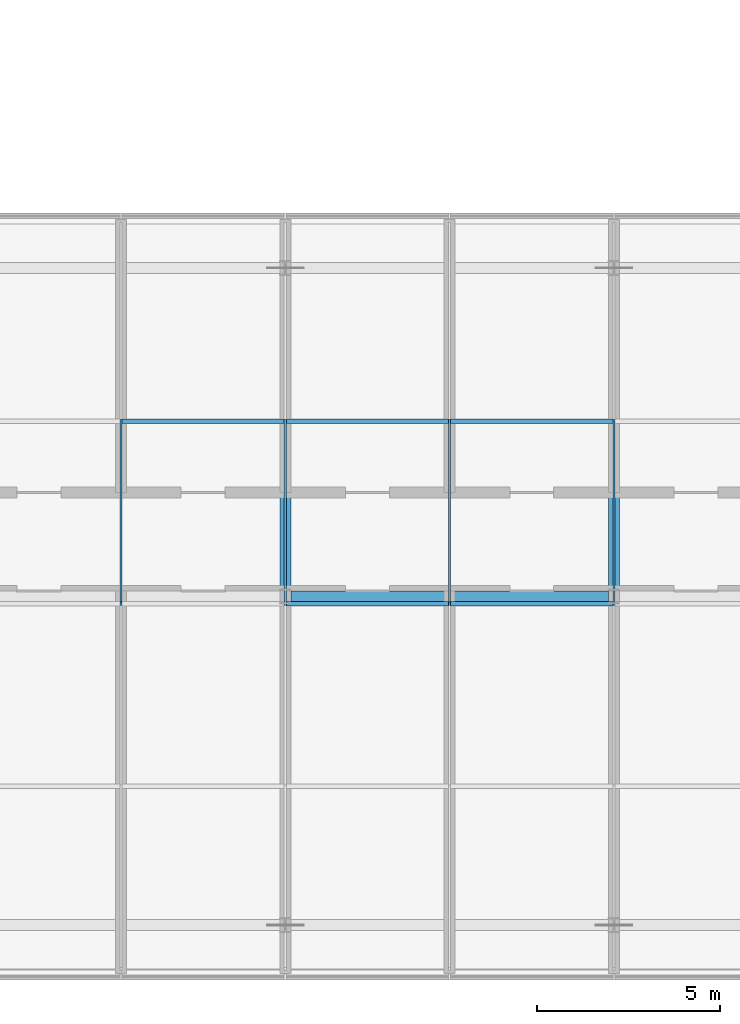
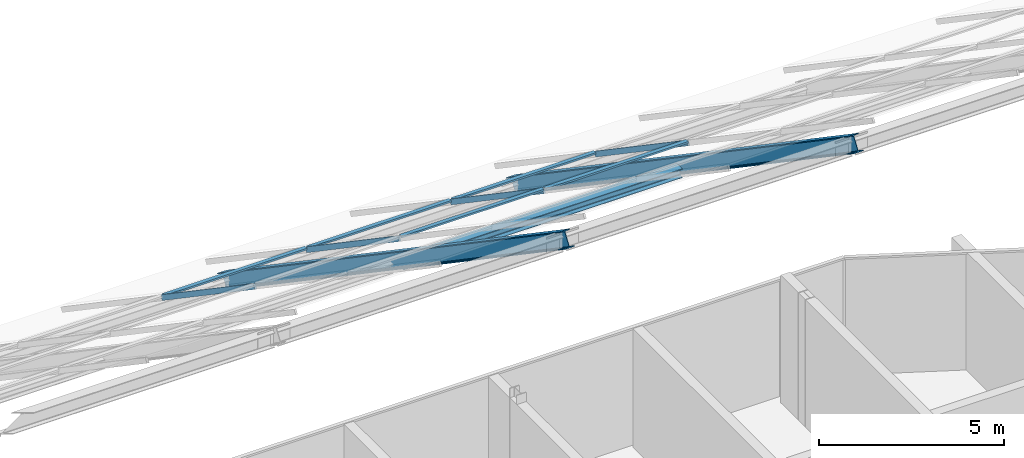
# One storey, part 11 of 25: 12 members, 2 elements without a shape of their own.
"""IFC4 building model written with IfcOpenShell, lengths in metres."""

from ifc_helpers import new_model, si_unit, direction, frame, origin, origin_2d, place, context, subcontext, project, spatial, rectangle, i_section, extrude, material, material_profile, profile_set, type_object, element, aggregate, save


model = new_model("IFC4")

# Units and contexts
model_context = context("Model", 3, precision=1e-05, world=origin(), true_north=direction((0.0, 1.0)))
body_context = subcontext(model_context, "Body", "Model", "MODEL_VIEW")
ifc_project = project(units=[si_unit("LENGTHUNIT", "METRE"), si_unit("AREAUNIT", "SQUARE_METRE"), si_unit("VOLUMEUNIT", "CUBIC_METRE"), si_unit("PLANEANGLEUNIT", "RADIAN"), si_unit("MASSUNIT", "GRAM", prefix="KILO")], contexts=[model_context])

# Site, building, storey
site_placement = place(None, origin())
site = spatial("IfcSite", under=ifc_project, at=site_placement, CompositionType="ELEMENT")
building_placement = place(site_placement, origin())
building = spatial("IfcBuilding", under=site, at=building_placement, Name="Ogive Portal Towers", CompositionType="ELEMENT")
storey_placement = place(building_placement, frame((0.0, 0.0, 272.89990234375)))
storey = spatial("IfcBuildingStorey", under=building, at=storey_placement, Name="L66", CompositionType="ELEMENT", Elevation=272.89990234375)

# Members
ifc_material_1 = material(Name="Steel S355", Category="steel")
ifc_material_profile_1 = material_profile(ifc_material_1, i_section(OverallWidth=0.300048828125, OverallDepth=0.300048828125, WebThickness=0.010986328125, FlangeThickness=0.01904296875, FilletRadius=0.027099609375, at=origin_2d()), Name="HEB 300")
ifc_profile_set_1 = profile_set([ifc_material_profile_1], Name="Steel S355")
member_type_1 = type_object("IfcMemberType", Name="CROWN PURLIN HEB 300", PredefinedType="PURLIN", material=ifc_profile_set_1)
member_1_placement = place(storey_placement, frame((67.64990234375, 30.5, 16.9501953125), z_axis=(1.0, 0.0, 0.0), x_axis=(0.0, 1.0, 0.0)))
element("IfcMember", 1, at=member_1_placement, inside=storey, type_object=member_type_1, Name="Crown purlin", PredefinedType="PURLIN", context=body_context, shape_type="SweptSolid", body=[
    extrude(i_section(OverallWidth=0.300048828125, OverallDepth=0.300048828125, WebThickness=0.010986328125, FlangeThickness=0.01904296875, FilletRadius=0.027099609375, at=origin_2d()), origin(), (0.0, 0.0, 1.0), 8.7001953125),
])
ifc_material_profile_2 = material_profile(ifc_material_1, i_section(OverallWidth=0.300048828125, OverallDepth=0.5, WebThickness=0.014404296875, FlangeThickness=0.028076171875, FilletRadius=0.027099609375, at=origin_2d()), Name="HEB 500")
ifc_profile_set_2 = profile_set([ifc_material_profile_2], Name="Steel S355")
member_type_2 = type_object("IfcMemberType", Name="CROWN RAFTER HEB 500", PredefinedType="RAFTER", material=ifc_profile_set_2)
for number, where, z_axis, x_axis, name in (
    (2, (67.5, 21.25, 23.397705078125), (0.0, 0.826929952607, -0.562304947054), (-1.0, 0.0, 0.0), "Crown rafter"),
    (3, (76.5, 21.25, 23.397705078125), (0.0, 0.826929952607, -0.562304947054), (-1.0, 0.0, 0.0), "Crown rafter"),
):
    element("IfcMember", number, at=place(storey_placement, frame(where, z_axis=z_axis, x_axis=x_axis)), inside=storey, type_object=member_type_2, Name=name, PredefinedType="RAFTER", context=body_context, shape_type="SweptSolid", body=[
        extrude(i_section(OverallWidth=0.300048828125, OverallDepth=0.5, WebThickness=0.014404296875, FlangeThickness=0.028076171875, FilletRadius=0.027099609375, at=origin_2d()), origin(), (0.0, 0.0, 1.0), 22.371826171875),
    ])

# Curtain wall, members
ifc_material_2 = material(Name="Glass, clear low-iron insulated glazing", Category="glass")
curtain_wall_type = type_object("IfcCurtainWallType", Name="CW CROWN GLAZING", PredefinedType="NOTDEFINED", material=ifc_material_2)
curtain_wall_1_placement = place(storey_placement, origin())
curtain_wall_1 = element("IfcCurtainWall", 4, at=curtain_wall_1_placement, inside=storey, type_object=curtain_wall_type, Name="Crown roof glazing 3", PredefinedType="NOTDEFINED")
ifc_material_3 = material(Name="Aluminium 6063 anodised", Category="aluminium")
ifc_material_profile_3 = material_profile(ifc_material_3, rectangle(XDim=0.06005859375, YDim=0.159912109375, at=origin_2d()), Name="AL 60x160 rafter")
ifc_profile_set_3 = profile_set([ifc_material_profile_3], Name="Aluminium 6063 anodised")
member_type_3 = type_object("IfcMemberType", Name="CW ROOF RAFTER 60x160", PredefinedType="MULLION", material=ifc_profile_set_3)
member_2_placement = place(storey_placement, frame((63.0, 30.300048828125, 17.931640625), z_axis=(0.0, 0.82693401206, -0.562298977146), x_axis=(-1.0, 0.0, 0.0)))
member_2 = element("IfcMember", 5, at=member_2_placement, type_object=member_type_3, Name="roof rafter", PredefinedType="MULLION", context=body_context, shape_type="SweptSolid", body=[
    extrude(rectangle(XDim=0.06005859375, YDim=0.159912109375, at=origin_2d()), origin(), (0.0, 0.0, 1.0), 6.04638671875),
])
member_3_placement = place(storey_placement, frame((67.5, 30.300048828125, 17.931640625), z_axis=(0.0, 0.82693401206, -0.562298977146), x_axis=(-1.0, 0.0, 0.0)))
member_3 = element("IfcMember", 6, at=member_3_placement, type_object=member_type_3, Name="roof rafter", PredefinedType="MULLION", context=body_context, shape_type="SweptSolid", body=[
    extrude(rectangle(XDim=0.06005859375, YDim=0.159912109375, at=origin_2d()), origin(), (0.0, 0.0, 1.0), 6.04638671875),
])

curtain_wall_2_placement = place(storey_placement, origin())
curtain_wall_2 = element("IfcCurtainWall", 7, at=curtain_wall_2_placement, inside=storey, type_object=curtain_wall_type, Name="Crown roof glazing 4", PredefinedType="NOTDEFINED")
member_4_placement = place(storey_placement, frame((72.0, 30.300048828125, 17.931640625), z_axis=(0.0, 0.82693401206, -0.562298977146), x_axis=(-1.0, 0.0, 0.0)))
member_4 = element("IfcMember", 8, at=member_4_placement, type_object=member_type_3, Name="roof rafter", PredefinedType="MULLION", context=body_context, shape_type="SweptSolid", body=[
    extrude(rectangle(XDim=0.06005859375, YDim=0.159912109375, at=origin_2d()), origin(), (0.0, 0.0, 1.0), 6.04638671875),
])
member_5_placement = place(storey_placement, frame((76.5, 30.300048828125, 17.931640625), z_axis=(0.0, 0.82693401206, -0.562298977146), x_axis=(-1.0, 0.0, 0.0)))
member_5 = element("IfcMember", 9, at=member_5_placement, type_object=member_type_3, Name="roof rafter", PredefinedType="MULLION", context=body_context, shape_type="SweptSolid", body=[
    extrude(rectangle(XDim=0.06005859375, YDim=0.159912109375, at=origin_2d()), origin(), (0.0, 0.0, 1.0), 6.04638671875),
])

# Member
ifc_material_profile_4 = material_profile(ifc_material_3, rectangle(XDim=0.1201171875, YDim=0.06005859375, at=origin_2d()), Name="AL 120x60")
ifc_profile_set_4 = profile_set([ifc_material_profile_4], Name="Aluminium 6063 anodised")
member_type_4 = type_object("IfcMemberType", Name="CW TRANSOM 60x120", PredefinedType="USERDEFINED", material=ifc_profile_set_4)
member_6_placement = place(storey_placement, frame((63.030029296875, 35.300048828125, 14.592041015625), z_axis=(1.0, 0.0, 0.0), x_axis=(0.0, 1.0, 0.0)))
member_6 = element("IfcMember", 10, at=member_6_placement, type_object=member_type_4, Name="roof transom", ObjectType="TRANSOM", PredefinedType="USERDEFINED", context=body_context, shape_type="SweptSolid", body=[
    extrude(rectangle(XDim=0.1201171875, YDim=0.06005859375, at=origin_2d()), origin(), (0.0, 0.0, 1.0), 4.43994140625),
])

aggregate(curtain_wall_1, [member_2, member_3, member_6])

member_7_placement = place(storey_placement, frame((67.530029296875, 30.300048828125, 17.9921875), z_axis=(1.0, 0.0, 0.0), x_axis=(0.0, 1.0, 0.0)))
member_7 = element("IfcMember", 11, at=member_7_placement, type_object=member_type_4, Name="roof transom", ObjectType="TRANSOM", PredefinedType="USERDEFINED", context=body_context, shape_type="SweptSolid", body=[
    extrude(rectangle(XDim=0.1201171875, YDim=0.06005859375, at=origin_2d()), origin(), (0.0, 0.0, 1.0), 4.43994140625),
])

member_8_placement = place(storey_placement, frame((72.030029296875, 30.300048828125, 17.9921875), z_axis=(1.0, 0.0, 0.0), x_axis=(0.0, 1.0, 0.0)))
member_8 = element("IfcMember", 12, at=member_8_placement, type_object=member_type_4, Name="roof transom", ObjectType="TRANSOM", PredefinedType="USERDEFINED", context=body_context, shape_type="SweptSolid", body=[
    extrude(rectangle(XDim=0.1201171875, YDim=0.06005859375, at=origin_2d()), origin(), (0.0, 0.0, 1.0), 4.43994140625),
])

member_9_placement = place(storey_placement, frame((67.530029296875, 35.300048828125, 14.592041015625), z_axis=(1.0, 0.0, 0.0), x_axis=(0.0, 1.0, 0.0)))
member_9 = element("IfcMember", 13, at=member_9_placement, type_object=member_type_4, Name="roof transom", ObjectType="TRANSOM", PredefinedType="USERDEFINED", context=body_context, shape_type="SweptSolid", body=[
    extrude(rectangle(XDim=0.1201171875, YDim=0.06005859375, at=origin_2d()), origin(), (0.0, 0.0, 1.0), 4.43994140625),
])

member_10_placement = place(storey_placement, frame((72.030029296875, 35.300048828125, 14.592041015625), z_axis=(1.0, 0.0, 0.0), x_axis=(0.0, 1.0, 0.0)))
member_10 = element("IfcMember", 14, at=member_10_placement, type_object=member_type_4, Name="roof transom", ObjectType="TRANSOM", PredefinedType="USERDEFINED", context=body_context, shape_type="SweptSolid", body=[
    extrude(rectangle(XDim=0.1201171875, YDim=0.06005859375, at=origin_2d()), origin(), (0.0, 0.0, 1.0), 4.43994140625),
])

aggregate(curtain_wall_2, [member_4, member_5, member_7, member_8, member_9, member_10])

save(model, "model.ifc")
